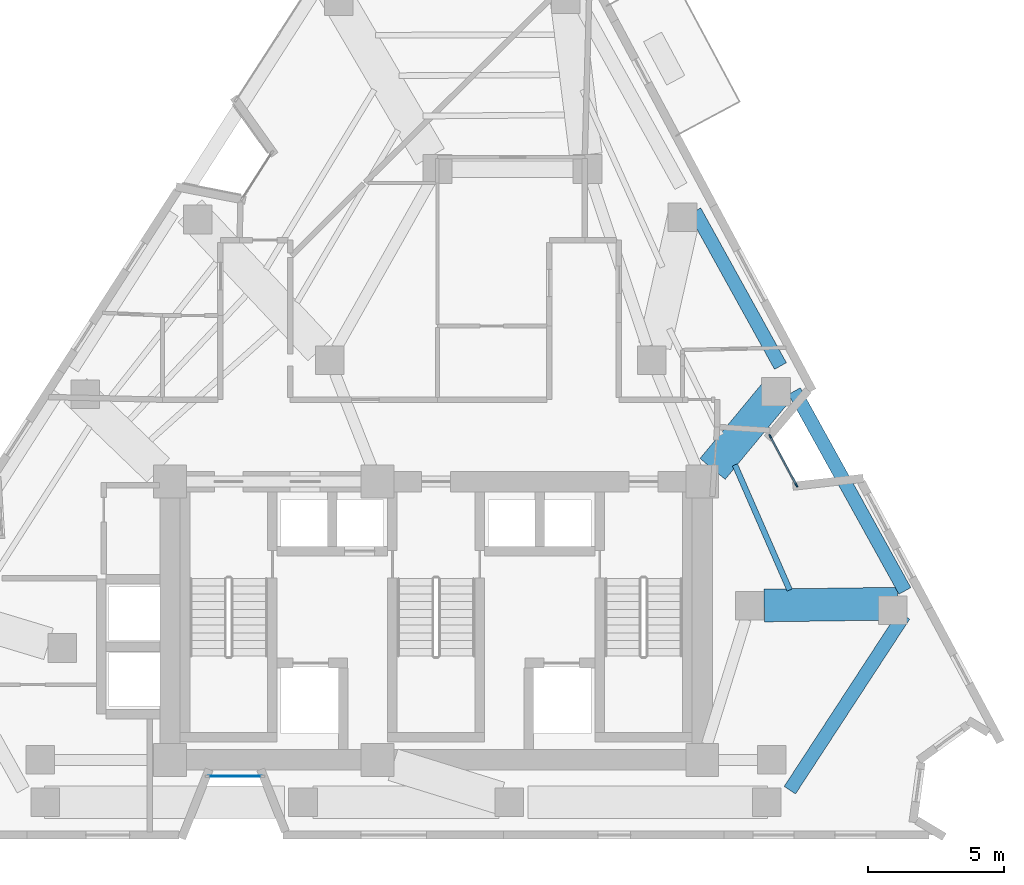
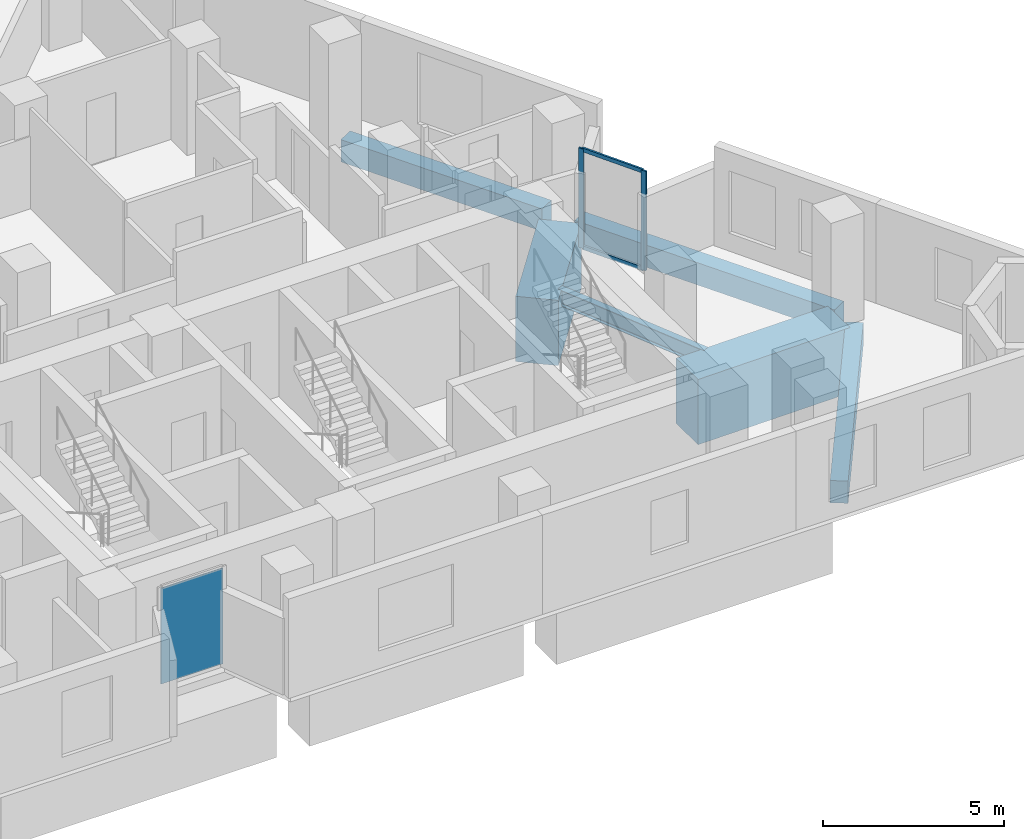
# One storey, part 5 of 11: 6 beams, 4 members, 1 plate, 2 elements without a shape of their own.
"""IFC4 building model written with IfcOpenShell, lengths in metres."""

from ifc_helpers import new_model, si_unit, direction, frame, origin, origin_2d, place, context, subcontext, project, spatial, rectangle, i_section, extrude, material, layer, layer_set, material_profile, profile_set, type_object, element, aggregate, save


model = new_model("IFC4")

# Units and contexts
model_context = context("Model", 3, precision=1e-05, world=origin(), true_north=direction((0.0, 1.0)))
body_context = subcontext(model_context, "Body", "Model", "MODEL_VIEW")
ifc_project = project(units=[si_unit("LENGTHUNIT", "METRE"), si_unit("AREAUNIT", "SQUARE_METRE"), si_unit("VOLUMEUNIT", "CUBIC_METRE"), si_unit("PLANEANGLEUNIT", "RADIAN"), si_unit("MASSUNIT", "GRAM", prefix="KILO")], contexts=[model_context])

# Site, building, storey
site_placement = place(None, origin())
site = spatial("IfcSite", under=ifc_project, at=site_placement, CompositionType="ELEMENT")
building_placement = place(site_placement, origin())
building = spatial("IfcBuilding", under=site, at=building_placement, Name="Almagre Mirador Tower", CompositionType="ELEMENT")
storey_placement = place(building_placement, frame((0.0, 0.0, 175.199951171875)))
storey = spatial("IfcBuildingStorey", under=building, at=storey_placement, Name="L45", CompositionType="ELEMENT", Elevation=175.199951171875)

# Beams
ifc_material_1 = material(Name="Steel ASTM A992 Grade 50", Category="steel")
ifc_material_profile_1 = material_profile(ifc_material_1, i_section(OverallWidth=0.208984375, OverallDepth=0.532958984375, WebThickness=0.01025390625, FlangeThickness=0.015625, FilletRadius=0.01806640625, at=origin_2d()), Name="W21X62")
ifc_profile_set_1 = profile_set([ifc_material_profile_1], Name="Steel ASTM A992 Grade 50")
beam_type_1 = type_object("IfcBeamType", Name="BM-JST-W21X62", PredefinedType="JOIST", material=ifc_profile_set_1)
beam_1_placement = place(storey_placement, frame((50.256591796875, 10.7734375, -0.516357421875), z_axis=(-0.400701141103, 0.916208816547, 0.0), x_axis=(-0.916208816547, -0.400701141103, 0.0)))
element("IfcBeam", 1, at=beam_1_placement, inside=storey, type_object=beam_type_1, Name="L45 secondary floor joist PC05-PC06.3", PredefinedType="JOIST", context=body_context, shape_type="SweptSolid", body=[
    extrude(i_section(OverallWidth=0.208984375, OverallDepth=0.532958984375, WebThickness=0.01025390625, FlangeThickness=0.015625, FilletRadius=0.01806640625, at=origin_2d()), origin(), (0.0, 0.0, 1.0), 5.005859375),
])
ifc_material_2 = material(Name="Precast concrete C50/60", Category="concrete")
ifc_material_profile_2 = material_profile(ifc_material_2, rectangle(XDim=0.5, YDim=0.75, at=origin_2d()), Name="RC500X750")
ifc_profile_set_2 = profile_set([ifc_material_profile_2], Name="Precast concrete C50/60")
beam_type_2 = type_object("IfcBeamType", Name="BM-SPN-RC500X750", PredefinedType="SPANDREL", material=ifc_profile_set_2)
beam_2_placement = place(storey_placement, frame((50.26318359375, 3.439453125, -0.625), z_axis=(0.546935461459, 0.83717477327, 0.0), x_axis=(-0.83717477327, 0.546935461459, 0.0)))
element("IfcBeam", 2, at=beam_2_placement, inside=storey, type_object=beam_type_2, Name="L45 perimeter spandrel beam PC04-PC05", PredefinedType="SPANDREL", context=body_context, shape_type="SweptSolid", body=[
    extrude(rectangle(XDim=0.5, YDim=0.75, at=origin_2d()), origin(), (0.0, 0.0, 1.0), 7.649658203125),
])
beam_3_placement = place(storey_placement, frame((54.479736328125, 10.742431640625, -0.625), z_axis=(-0.484193045523, 0.874961196092, 0.0), x_axis=(-0.874961196092, -0.484193045523, 0.0)))
element("IfcBeam", 3, at=beam_3_placement, inside=storey, type_object=beam_type_2, Name="L45 perimeter spandrel beam PC05-PC06", PredefinedType="SPANDREL", context=body_context, shape_type="SweptSolid", body=[
    extrude(rectangle(XDim=0.5, YDim=0.75, at=origin_2d()), origin(), (0.0, 0.0, 1.0), 8.36767578125),
])
beam_4_placement = place(storey_placement, frame((49.919921875, 18.982421875, -0.625), z_axis=(-0.484219637984, 0.874946479615, 0.0), x_axis=(-0.874946479615, -0.484219637984, 0.0)))
element("IfcBeam", 4, at=beam_4_placement, inside=storey, type_object=beam_type_2, Name="L45 perimeter spandrel beam PC06-PC07", PredefinedType="SPANDREL", context=body_context, shape_type="SweptSolid", body=[
    extrude(rectangle(XDim=0.5, YDim=0.75, at=origin_2d()), origin(), (0.0, 0.0, 1.0), 6.48388671875),
])
ifc_material_3 = material(Name="Concrete C60/75", Category="concrete")
ifc_material_profile_3 = material_profile(ifc_material_3, rectangle(XDim=1.199951171875, YDim=2.199951171875, at=origin_2d()), Name="RC1200X2200")
ifc_profile_set_3 = profile_set([ifc_material_profile_3], Name="Concrete C60/75")
beam_type_3 = type_object("IfcBeamType", Name="BM-XFER-RC1200X2200", PredefinedType="BEAM", material=ifc_profile_set_3)
beam_5_placement = place(storey_placement, frame((54.208984375, 10.275634765625, -1.349853515625), z_axis=(-0.999902063371, -0.013995130105, 0.0), x_axis=(0.013995130105, -0.999902063371, 0.0)))
element("IfcBeam", 5, at=beam_5_placement, inside=storey, type_object=beam_type_3, Name="L45 radial transfer girder PC05-MC3", PredefinedType="BEAM", context=body_context, shape_type="SweptSolid", body=[
    extrude(rectangle(XDim=1.199951171875, YDim=2.199951171875, at=origin_2d()), origin(), (0.0, 0.0, 1.0), 4.884521484375),
])
beam_6_placement = place(storey_placement, frame((49.839111328125, 18.11865234375, -1.349853515625), z_axis=(-0.637743806267, -0.770248555707, 0.0), x_axis=(0.770248555707, -0.637743806267, 0.0)))
element("IfcBeam", 6, at=beam_6_placement, inside=storey, type_object=beam_type_3, Name="L45 radial transfer girder PC06-CC6", PredefinedType="BEAM", context=body_context, shape_type="SweptSolid", body=[
    extrude(rectangle(XDim=1.199951171875, YDim=2.199951171875, at=origin_2d()), origin(), (0.0, 0.0, 1.0), 3.7734375),
])

# Curtain wall, members
ifc_material_4 = material(Name="Black anodized aluminium", Category="aluminium")
ifc_layer_1 = layer(ifc_material_4, 0.169921875)
ifc_layer_set_1 = layer_set([ifc_layer_1], Name="Black anodized aluminium")
curtain_wall_type = type_object("IfcCurtainWallType", Name="CW-CRS-SYS", PredefinedType="NOTDEFINED", material=ifc_layer_set_1)
curtain_wall_1_placement = place(storey_placement, origin())
curtain_wall_1 = element("IfcCurtainWall", 7, at=curtain_wall_1_placement, inside=storey, type_object=curtain_wall_type, Name="L45 vertical crease curtain wall 03", PredefinedType="NOTDEFINED")
ifc_material_5 = material(Name="Black anodized aluminium", Category="aluminium")
ifc_material_profile_4 = material_profile(ifc_material_5, rectangle(XDim=0.06005859375, YDim=0.14990234375, at=origin_2d()), Name="CWM60X150")
ifc_profile_set_4 = profile_set([ifc_material_profile_4], Name="Black anodized aluminium")
member_type_1 = type_object("IfcMemberType", Name="MBR-CWM60X150", PredefinedType="MULLION", material=ifc_profile_set_4)
member_1_placement = place(storey_placement, frame((49.545166015625, 16.40966796875, 0.0), z_axis=(0.0, 0.0, 1.0), x_axis=(0.881742992316, 0.47173010875, 0.0)))
member_1 = element("IfcMember", 8, at=member_1_placement, type_object=member_type_1, Name="CW-4 mullion 1", PredefinedType="MULLION", context=body_context, shape_type="SweptSolid", body=[
    extrude(rectangle(XDim=0.06005859375, YDim=0.14990234375, at=origin_2d()), origin(), (0.0, 0.0, 1.0), 3.35009765625),
])
member_2_placement = place(storey_placement, frame((50.5029296875, 14.619384765625, 0.0), z_axis=(0.0, 0.0, 1.0), x_axis=(0.881742992316, 0.47173010875, 0.0)))
member_2 = element("IfcMember", 9, at=member_2_placement, type_object=member_type_1, Name="CW-4 mullion 2", PredefinedType="MULLION", context=body_context, shape_type="SweptSolid", body=[
    extrude(rectangle(XDim=0.06005859375, YDim=0.14990234375, at=origin_2d()), origin(), (0.0, 0.0, 1.0), 3.35009765625),
])
ifc_material_6 = material(Name="Black anodized aluminium", Category="aluminium")
ifc_material_profile_5 = material_profile(ifc_material_6, rectangle(XDim=0.06005859375, YDim=0.1298828125, at=origin_2d()), Name="CWT60X130")
ifc_profile_set_5 = profile_set([ifc_material_profile_5], Name="Black anodized aluminium")
member_type_2 = type_object("IfcMemberType", Name="MBR-CWT60X130", PredefinedType="USERDEFINED", material=ifc_profile_set_5)
member_3_placement = place(storey_placement, frame((49.559326171875, 16.383056640625, 0.030029296875), z_axis=(0.471777732693, -0.881717511981, 0.0), x_axis=(0.881717511981, 0.471777732693, 0.0)))
member_3 = element("IfcMember", 10, at=member_3_placement, type_object=member_type_2, Name="CW-4 transom 1.1", ObjectType="TRANSOM", PredefinedType="USERDEFINED", context=body_context, shape_type="SweptSolid", body=[
    extrude(rectangle(XDim=0.06005859375, YDim=0.1298828125, at=origin_2d()), origin(), (0.0, 0.0, 1.0), 1.969970703125),
])
member_4_placement = place(storey_placement, frame((49.559326171875, 16.383056640625, 3.320068359375), z_axis=(0.471777732693, -0.881717511981, 0.0), x_axis=(0.881717511981, 0.471777732693, 0.0)))
member_4 = element("IfcMember", 11, at=member_4_placement, type_object=member_type_2, Name="CW-4 transom 1.2", ObjectType="TRANSOM", PredefinedType="USERDEFINED", context=body_context, shape_type="SweptSolid", body=[
    extrude(rectangle(XDim=0.06005859375, YDim=0.1298828125, at=origin_2d()), origin(), (0.0, 0.0, 1.0), 1.969970703125),
])
aggregate(curtain_wall_1, [member_1, member_2, member_3, member_4])

# Curtain wall, plate
curtain_wall_2_placement = place(storey_placement, origin())
curtain_wall_2 = element("IfcCurtainWall", 12, at=curtain_wall_2_placement, inside=storey, type_object=curtain_wall_type, Name="L45 vertical crease curtain wall 04", PredefinedType="NOTDEFINED")
ifc_material_7 = material(Name="Dark solar-control laminated hurricane glass", Category="glass")
ifc_layer_2 = layer(ifc_material_7, 0.028076171875)
ifc_layer_set_2 = layer_set([ifc_layer_2], Name="Dark solar-control laminated hurricane glass")
plate_type = type_object("IfcPlateType", Name="PLT-GLZ-28", PredefinedType="CURTAIN_PANEL", material=ifc_layer_set_2)
plate_placement = place(storey_placement, frame((29.927978515625, 3.949951171875, 0.06005859375), z_axis=(0.0, 0.0, 1.0), x_axis=(-1.0, 0.0, 0.0)))
plate = element("IfcPlate", 13, at=plate_placement, type_object=plate_type, Name="CW-4 panel 1.1", PredefinedType="CURTAIN_PANEL", context=body_context, shape_type="SweptSolid", body=[
    extrude(rectangle(XDim=1.969970703125, YDim=0.028076171875, at=origin_2d()), origin(), (0.0, 0.0, 1.0), 3.22998046875),
])
aggregate(curtain_wall_2, [plate])

save(model, "model.ifc")
